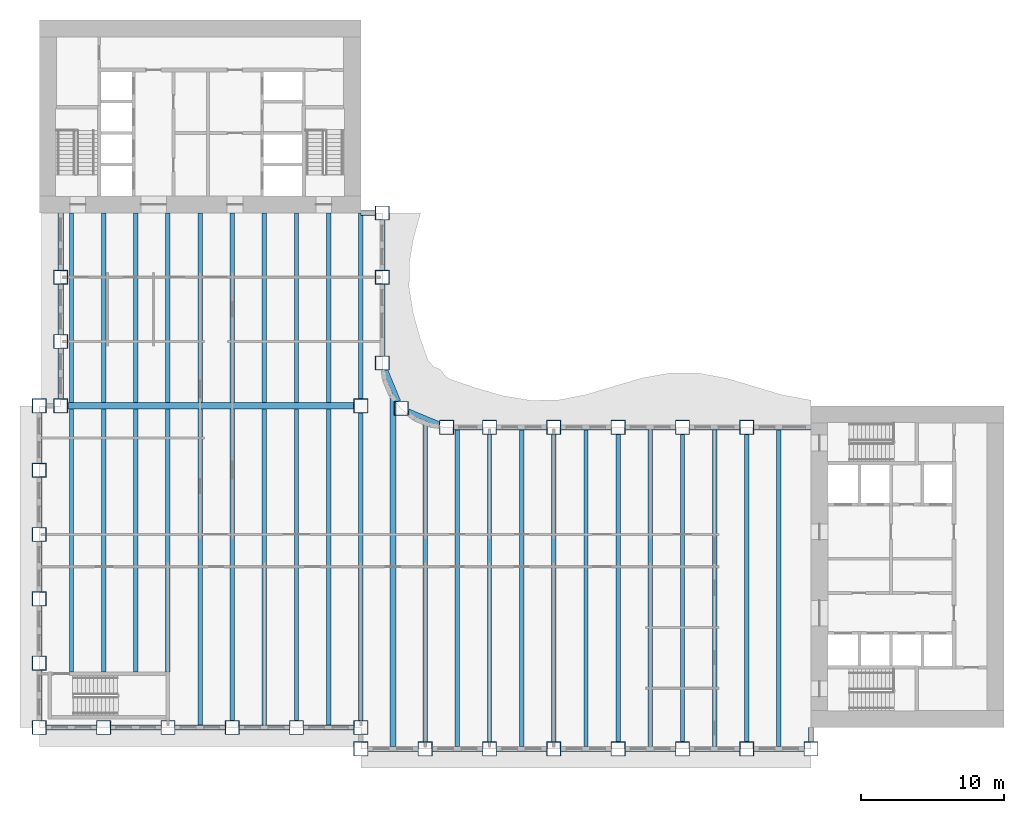
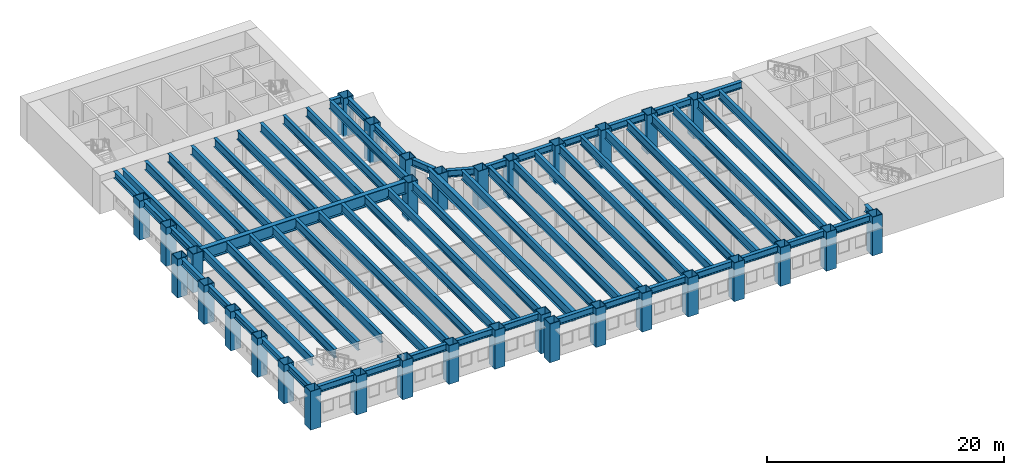
# One storey, part 1 of 16: 66 beams, 33 columns.
"""IFC4 building model written with IfcOpenShell, lengths in metres."""

from ifc_helpers import new_model, si_unit, direction, frame, origin, origin_2d, place, context, subcontext, project, spatial, hollow_rectangle, i_section, extrude, material, material_profile, profile_set, type_object, element, save


model = new_model("IFC4")

# Units and contexts
model_context = context("Model", 3, precision=1e-05, world=origin(), true_north=direction((0.0, 1.0)))
body_context = subcontext(model_context, "Body", "Model", "MODEL_VIEW")
ifc_project = project(units=[si_unit("LENGTHUNIT", "METRE"), si_unit("AREAUNIT", "SQUARE_METRE"), si_unit("VOLUMEUNIT", "CUBIC_METRE"), si_unit("PLANEANGLEUNIT", "RADIAN"), si_unit("MASSUNIT", "GRAM", prefix="KILO")], contexts=[model_context])

# Site, building, storey
site_placement = place(None, origin())
site = spatial("IfcSite", under=ifc_project, at=site_placement, CompositionType="ELEMENT")
building_placement = place(site_placement, origin())
building = spatial("IfcBuilding", under=site, at=building_placement, Name="Sennacour Bend Tower", CompositionType="ELEMENT")
storey_placement = place(building_placement, frame((0.0, 0.0, 87.0)))
storey = spatial("IfcBuildingStorey", under=building, at=storey_placement, Name="L19", CompositionType="ELEMENT", Elevation=87.0)

# Columns
ifc_material_1 = material(Name="Steel ASTM A572 Grade 50", Category="steel")
ifc_material_profile_1 = material_profile(ifc_material_1, hollow_rectangle(XDim=1.0, YDim=1.0, WallThickness=0.050048828125, at=origin_2d()), Name="Steel ASTM A572 Grade 50", Category="steel")
ifc_profile_set_1 = profile_set([ifc_material_profile_1], Name="Steel ASTM A572 Grade 50")
column_type = type_object("IfcColumnType", Name="Box column 1000", PredefinedType="COLUMN", material=ifc_profile_set_1)
for number, where, z_axis, x_axis, name in (
    (1, (0.0, 0.0, -0.14990234375), (0.0, 0.0, 1.0), (1.0, 0.0, 0.0), "Perimeter column C2 L19-001"),
    (2, (0.0, 4.5, -0.14990234375), (0.0, 0.0, 1.0), (1.0, 0.0, 0.0), "Perimeter column C2 L19-002"),
    (3, (0.0, 9.0, -0.14990234375), (0.0, 0.0, 1.0), (1.0, 0.0, 0.0), "Perimeter column C2 L19-003"),
    (4, (0.0, 13.5, -0.14990234375), (0.0, 0.0, 1.0), (1.0, 0.0, 0.0), "Perimeter column C2 L19-004"),
    (5, (0.0, 18.0, -0.14990234375), (0.0, 0.0, 1.0), (1.0, 0.0, 0.0), "Perimeter column C2 L19-005"),
    (6, (0.0, 22.5, -0.14990234375), (0.0, 0.0, 1.0), (1.0, 0.0, 0.0), "Perimeter column C2 L19-006"),
    (7, (1.5, 22.5, -0.14990234375), (0.0, 0.0, 1.0), (1.0, 0.0, 0.0), "Perimeter column C2 L19-007"),
    (8, (1.5, 27.0, -0.14990234375), (0.0, 0.0, 1.0), (1.0, 0.0, 0.0), "Perimeter column C2 L19-008"),
    (9, (1.5, 31.5, -0.14990234375), (0.0, 0.0, 1.0), (1.0, 0.0, 0.0), "Perimeter column C2 L19-009"),
    (10, (4.5, 0.0, -0.14990234375), (0.0, 0.0, 1.0), (1.0, 0.0, 0.0), "Perimeter column C2 L19-010"),
    (11, (9.0, 0.0, -0.14990234375), (0.0, 0.0, 1.0), (1.0, 0.0, 0.0), "Perimeter column C2 L19-011"),
    (12, (13.5, 0.0, -0.14990234375), (0.0, 0.0, 1.0), (1.0, 0.0, 0.0), "Perimeter column C2 L19-012"),
    (13, (18.0, 0.0, -0.14990234375), (0.0, 0.0, 1.0), (1.0, 0.0, 0.0), "Perimeter column C2 L19-013"),
    (14, (22.5, -1.5, -0.14990234375), (0.0, 0.0, 1.0), (1.0, 0.0, 0.0), "Perimeter column C2 L19-014"),
    (15, (22.5, 0.0, -0.14990234375), (0.0, 0.0, 1.0), (1.0, 0.0, 0.0), "Perimeter column C2 L19-015"),
    (16, (22.5, 22.5, -0.14990234375), (0.0, 0.0, 1.0), (1.0, 0.0, 0.0), "Knuckle column C2 L19-016"),
    (17, (24.0, 25.5, -0.14990234375), (0.0, 0.0, 1.0), (1.0, 0.0, 0.0), "Perimeter column C2 L19-017"),
    (18, (24.0, 31.5, -0.14990234375), (0.0, 0.0, 1.0), (1.0, 0.0, 0.0), "Perimeter column C2 L19-018"),
    (19, (24.0, 36.0, -0.14990234375), (0.0, 0.0, 1.0), (1.0, 0.0, 0.0), "Perimeter column C2 L19-019"),
    (20, (25.318115234375, 22.318115234375, -0.14990234375), (0.0, 0.0, 1.0), (1.0, 0.0, 0.0), "Perimeter column C2 L19-020"),
    (21, (27.0, -1.5, -0.14990234375), (0.0, 0.0, 1.0), (1.0, 0.0, 0.0), "Perimeter column C2 L19-021"),
    (22, (28.5, 21.0, -0.14990234375), (0.0, 0.0, 1.0), (1.0, 0.0, 0.0), "Perimeter column C2 L19-022"),
    (23, (31.5, -1.5, -0.14990234375), (0.0, 0.0, 1.0), (1.0, 0.0, 0.0), "Perimeter column C2 L19-023"),
    (24, (31.5, 21.0, -0.14990234375), (0.0, 0.0, 1.0), (1.0, 0.0, 0.0), "Perimeter column C2 L19-024"),
    (25, (36.0, -1.5, -0.14990234375), (0.0, 0.0, 1.0), (1.0, 0.0, 0.0), "Perimeter column C2 L19-025"),
    (26, (36.0, 21.0, -0.14990234375), (0.0, 0.0, 1.0), (1.0, 0.0, 0.0), "Perimeter column C2 L19-026"),
    (27, (40.5, -1.5, -0.14990234375), (0.0, 0.0, 1.0), (1.0, 0.0, 0.0), "Perimeter column C2 L19-027"),
    (28, (40.5, 21.0, -0.14990234375), (0.0, 0.0, 1.0), (1.0, 0.0, 0.0), "Perimeter column C2 L19-028"),
    (29, (45.0, -1.5, -0.14990234375), (0.0, 0.0, 1.0), (1.0, 0.0, 0.0), "Perimeter column C2 L19-029"),
    (30, (45.0, 21.0, -0.14990234375), (0.0, 0.0, 1.0), (1.0, 0.0, 0.0), "Perimeter column C2 L19-030"),
    (31, (49.5, -1.5, -0.14990234375), (0.0, 0.0, 1.0), (1.0, 0.0, 0.0), "Perimeter column C2 L19-031"),
    (32, (49.5, 21.0, -0.14990234375), (0.0, 0.0, 1.0), (1.0, 0.0, 0.0), "Perimeter column C2 L19-032"),
    (33, (54.0, -1.5, -0.14990234375), (0.0, 0.0, 1.0), (1.0, 0.0, 0.0), "Perimeter column C2 L19-033"),
):
    element("IfcColumn", number, at=place(storey_placement, frame(where, z_axis=z_axis, x_axis=x_axis)), inside=storey, type_object=column_type, Name=name, PredefinedType="COLUMN", context=body_context, shape_type="SweptSolid", body=[
        extrude(hollow_rectangle(XDim=1.0, YDim=1.0, WallThickness=0.050048828125, at=origin_2d()), origin(), (0.0, 0.0, 1.0), 4.0),
    ])

# Beams
ifc_material_2 = material(Name="Steel ASTM A992 Grade 50", Category="steel")
ifc_material_profile_2 = material_profile(ifc_material_2, i_section(OverallWidth=0.304931640625, OverallDepth=0.912109375, WebThickness=0.015869140625, FlangeThickness=0.02392578125, FilletRadius=0.01904296875, at=origin_2d()), Name="Steel ASTM A992 Grade 50", Category="steel")
ifc_profile_set_2 = profile_set([ifc_material_profile_2], Name="Steel ASTM A992 Grade 50")
beam_type_1 = type_object("IfcBeamType", Name="Floor beam W920X223", PredefinedType="BEAM", material=ifc_profile_set_2)
beam_1_placement = place(storey_placement, frame((2.25, 3.875, 3.39404296875), z_axis=(0.0, 1.0, 0.0), x_axis=(-1.0, 0.0, 0.0)))
element("IfcBeam", 34, at=beam_1_placement, inside=storey, type_object=beam_type_1, Name="Floor beam FBM1 L20-001", PredefinedType="BEAM", context=body_context, shape_type="SweptSolid", body=[
    extrude(i_section(OverallWidth=0.304931640625, OverallDepth=0.912109375, WebThickness=0.015869140625, FlangeThickness=0.02392578125, FilletRadius=0.01904296875, at=origin_2d()), origin(), (0.0, 0.0, 1.0), 18.39990234375),
])
beam_2_placement = place(storey_placement, frame((2.25, 22.72509765625, 3.39404296875), z_axis=(0.0, 1.0, 0.0), x_axis=(-1.0, 0.0, 0.0)))
element("IfcBeam", 35, at=beam_2_placement, inside=storey, type_object=beam_type_1, Name="Floor beam FBM1 L20-002", PredefinedType="BEAM", context=body_context, shape_type="SweptSolid", body=[
    extrude(i_section(OverallWidth=0.304931640625, OverallDepth=0.912109375, WebThickness=0.015869140625, FlangeThickness=0.02392578125, FilletRadius=0.01904296875, at=origin_2d()), origin(), (0.0, 0.0, 1.0), 13.27490234375),
])
beam_3_placement = place(storey_placement, frame((4.5, 3.875, 3.39404296875), z_axis=(0.0, 1.0, 0.0), x_axis=(-1.0, 0.0, 0.0)))
element("IfcBeam", 36, at=beam_3_placement, inside=storey, type_object=beam_type_1, Name="Floor beam FBM1 L20-003", PredefinedType="BEAM", context=body_context, shape_type="SweptSolid", body=[
    extrude(i_section(OverallWidth=0.304931640625, OverallDepth=0.912109375, WebThickness=0.015869140625, FlangeThickness=0.02392578125, FilletRadius=0.01904296875, at=origin_2d()), origin(), (0.0, 0.0, 1.0), 18.39990234375),
])
beam_4_placement = place(storey_placement, frame((4.5, 22.72509765625, 3.39404296875), z_axis=(0.0, 1.0, 0.0), x_axis=(-1.0, 0.0, 0.0)))
element("IfcBeam", 37, at=beam_4_placement, inside=storey, type_object=beam_type_1, Name="Floor beam FBM1 L20-004", PredefinedType="BEAM", context=body_context, shape_type="SweptSolid", body=[
    extrude(i_section(OverallWidth=0.304931640625, OverallDepth=0.912109375, WebThickness=0.015869140625, FlangeThickness=0.02392578125, FilletRadius=0.01904296875, at=origin_2d()), origin(), (0.0, 0.0, 1.0), 13.27490234375),
])
beam_5_placement = place(storey_placement, frame((6.75, 3.875, 3.39404296875), z_axis=(0.0, 1.0, 0.0), x_axis=(-1.0, 0.0, 0.0)))
element("IfcBeam", 38, at=beam_5_placement, inside=storey, type_object=beam_type_1, Name="Floor beam FBM1 L20-005", PredefinedType="BEAM", context=body_context, shape_type="SweptSolid", body=[
    extrude(i_section(OverallWidth=0.304931640625, OverallDepth=0.912109375, WebThickness=0.015869140625, FlangeThickness=0.02392578125, FilletRadius=0.01904296875, at=origin_2d()), origin(), (0.0, 0.0, 1.0), 18.39990234375),
])
beam_6_placement = place(storey_placement, frame((6.75, 22.72509765625, 3.39404296875), z_axis=(0.0, 1.0, 0.0), x_axis=(-1.0, 0.0, 0.0)))
element("IfcBeam", 39, at=beam_6_placement, inside=storey, type_object=beam_type_1, Name="Floor beam FBM1 L20-006", PredefinedType="BEAM", context=body_context, shape_type="SweptSolid", body=[
    extrude(i_section(OverallWidth=0.304931640625, OverallDepth=0.912109375, WebThickness=0.015869140625, FlangeThickness=0.02392578125, FilletRadius=0.01904296875, at=origin_2d()), origin(), (0.0, 0.0, 1.0), 13.27490234375),
])
beam_7_placement = place(storey_placement, frame((9.0, 3.875, 3.39404296875), z_axis=(0.0, 1.0, 0.0), x_axis=(-1.0, 0.0, 0.0)))
element("IfcBeam", 40, at=beam_7_placement, inside=storey, type_object=beam_type_1, Name="Floor beam FBM1 L20-007", PredefinedType="BEAM", context=body_context, shape_type="SweptSolid", body=[
    extrude(i_section(OverallWidth=0.304931640625, OverallDepth=0.912109375, WebThickness=0.015869140625, FlangeThickness=0.02392578125, FilletRadius=0.01904296875, at=origin_2d()), origin(), (0.0, 0.0, 1.0), 18.39990234375),
])
beam_8_placement = place(storey_placement, frame((9.0, 22.72509765625, 3.39404296875), z_axis=(0.0, 1.0, 0.0), x_axis=(-1.0, 0.0, 0.0)))
element("IfcBeam", 41, at=beam_8_placement, inside=storey, type_object=beam_type_1, Name="Floor beam FBM1 L20-008", PredefinedType="BEAM", context=body_context, shape_type="SweptSolid", body=[
    extrude(i_section(OverallWidth=0.304931640625, OverallDepth=0.912109375, WebThickness=0.015869140625, FlangeThickness=0.02392578125, FilletRadius=0.01904296875, at=origin_2d()), origin(), (0.0, 0.0, 1.0), 13.27490234375),
])
beam_9_placement = place(storey_placement, frame((11.25, 0.177978515625, 3.39404296875), z_axis=(0.0, 1.0, 0.0), x_axis=(-1.0, 0.0, 0.0)))
element("IfcBeam", 42, at=beam_9_placement, inside=storey, type_object=beam_type_1, Name="Floor beam FBM1 L20-009", PredefinedType="BEAM", context=body_context, shape_type="SweptSolid", body=[
    extrude(i_section(OverallWidth=0.304931640625, OverallDepth=0.912109375, WebThickness=0.015869140625, FlangeThickness=0.02392578125, FilletRadius=0.01904296875, at=origin_2d()), origin(), (0.0, 0.0, 1.0), 22.096923828125),
])
beam_10_placement = place(storey_placement, frame((11.25, 22.72509765625, 3.39404296875), z_axis=(0.0, 1.0, 0.0), x_axis=(-1.0, 0.0, 0.0)))
element("IfcBeam", 43, at=beam_10_placement, inside=storey, type_object=beam_type_1, Name="Floor beam FBM1 L20-010", PredefinedType="BEAM", context=body_context, shape_type="SweptSolid", body=[
    extrude(i_section(OverallWidth=0.304931640625, OverallDepth=0.912109375, WebThickness=0.015869140625, FlangeThickness=0.02392578125, FilletRadius=0.01904296875, at=origin_2d()), origin(), (0.0, 0.0, 1.0), 13.27490234375),
])
beam_11_placement = place(storey_placement, frame((13.5, 0.5, 3.39404296875), z_axis=(0.0, 1.0, 0.0), x_axis=(-1.0, 0.0, 0.0)))
element("IfcBeam", 44, at=beam_11_placement, inside=storey, type_object=beam_type_1, Name="Floor beam FBM1 L20-011", PredefinedType="BEAM", context=body_context, shape_type="SweptSolid", body=[
    extrude(i_section(OverallWidth=0.304931640625, OverallDepth=0.912109375, WebThickness=0.015869140625, FlangeThickness=0.02392578125, FilletRadius=0.01904296875, at=origin_2d()), origin(), (0.0, 0.0, 1.0), 21.77490234375),
])
beam_12_placement = place(storey_placement, frame((13.5, 22.72509765625, 3.39404296875), z_axis=(0.0, 1.0, 0.0), x_axis=(-1.0, 0.0, 0.0)))
element("IfcBeam", 45, at=beam_12_placement, inside=storey, type_object=beam_type_1, Name="Floor beam FBM1 L20-012", PredefinedType="BEAM", context=body_context, shape_type="SweptSolid", body=[
    extrude(i_section(OverallWidth=0.304931640625, OverallDepth=0.912109375, WebThickness=0.015869140625, FlangeThickness=0.02392578125, FilletRadius=0.01904296875, at=origin_2d()), origin(), (0.0, 0.0, 1.0), 13.27490234375),
])
beam_13_placement = place(storey_placement, frame((15.75, 0.177978515625, 3.39404296875), z_axis=(0.0, 1.0, 0.0), x_axis=(-1.0, 0.0, 0.0)))
element("IfcBeam", 46, at=beam_13_placement, inside=storey, type_object=beam_type_1, Name="Floor beam FBM1 L20-013", PredefinedType="BEAM", context=body_context, shape_type="SweptSolid", body=[
    extrude(i_section(OverallWidth=0.304931640625, OverallDepth=0.912109375, WebThickness=0.015869140625, FlangeThickness=0.02392578125, FilletRadius=0.01904296875, at=origin_2d()), origin(), (0.0, 0.0, 1.0), 22.096923828125),
])
beam_14_placement = place(storey_placement, frame((15.75, 22.72509765625, 3.39404296875), z_axis=(0.0, 1.0, 0.0), x_axis=(-1.0, 0.0, 0.0)))
element("IfcBeam", 47, at=beam_14_placement, inside=storey, type_object=beam_type_1, Name="Floor beam FBM1 L20-014", PredefinedType="BEAM", context=body_context, shape_type="SweptSolid", body=[
    extrude(i_section(OverallWidth=0.304931640625, OverallDepth=0.912109375, WebThickness=0.015869140625, FlangeThickness=0.02392578125, FilletRadius=0.01904296875, at=origin_2d()), origin(), (0.0, 0.0, 1.0), 13.27490234375),
])
beam_15_placement = place(storey_placement, frame((18.0, 0.5, 3.39404296875), z_axis=(0.0, 1.0, 0.0), x_axis=(-1.0, 0.0, 0.0)))
element("IfcBeam", 48, at=beam_15_placement, inside=storey, type_object=beam_type_1, Name="Floor beam FBM1 L20-015", PredefinedType="BEAM", context=body_context, shape_type="SweptSolid", body=[
    extrude(i_section(OverallWidth=0.304931640625, OverallDepth=0.912109375, WebThickness=0.015869140625, FlangeThickness=0.02392578125, FilletRadius=0.01904296875, at=origin_2d()), origin(), (0.0, 0.0, 1.0), 21.77490234375),
])
beam_16_placement = place(storey_placement, frame((18.0, 22.72509765625, 3.39404296875), z_axis=(0.0, 1.0, 0.0), x_axis=(-1.0, 0.0, 0.0)))
element("IfcBeam", 49, at=beam_16_placement, inside=storey, type_object=beam_type_1, Name="Floor beam FBM1 L20-016", PredefinedType="BEAM", context=body_context, shape_type="SweptSolid", body=[
    extrude(i_section(OverallWidth=0.304931640625, OverallDepth=0.912109375, WebThickness=0.015869140625, FlangeThickness=0.02392578125, FilletRadius=0.01904296875, at=origin_2d()), origin(), (0.0, 0.0, 1.0), 13.27490234375),
])
beam_17_placement = place(storey_placement, frame((20.25, 0.177978515625, 3.39404296875), z_axis=(0.0, 1.0, 0.0), x_axis=(-1.0, 0.0, 0.0)))
element("IfcBeam", 50, at=beam_17_placement, inside=storey, type_object=beam_type_1, Name="Floor beam FBM1 L20-017", PredefinedType="BEAM", context=body_context, shape_type="SweptSolid", body=[
    extrude(i_section(OverallWidth=0.304931640625, OverallDepth=0.912109375, WebThickness=0.015869140625, FlangeThickness=0.02392578125, FilletRadius=0.01904296875, at=origin_2d()), origin(), (0.0, 0.0, 1.0), 22.096923828125),
])
beam_18_placement = place(storey_placement, frame((20.25, 22.72509765625, 3.39404296875), z_axis=(0.0, 1.0, 0.0), x_axis=(-1.0, 0.0, 0.0)))
element("IfcBeam", 51, at=beam_18_placement, inside=storey, type_object=beam_type_1, Name="Floor beam FBM1 L20-018", PredefinedType="BEAM", context=body_context, shape_type="SweptSolid", body=[
    extrude(i_section(OverallWidth=0.304931640625, OverallDepth=0.912109375, WebThickness=0.015869140625, FlangeThickness=0.02392578125, FilletRadius=0.01904296875, at=origin_2d()), origin(), (0.0, 0.0, 1.0), 13.27490234375),
])
beam_19_placement = place(storey_placement, frame((22.5, 0.5, 3.39404296875), z_axis=(0.0, 1.0, 0.0), x_axis=(-1.0, 0.0, 0.0)))
element("IfcBeam", 52, at=beam_19_placement, inside=storey, type_object=beam_type_1, Name="Floor beam FBM1 L20-019", PredefinedType="BEAM", context=body_context, shape_type="SweptSolid", body=[
    extrude(i_section(OverallWidth=0.304931640625, OverallDepth=0.912109375, WebThickness=0.015869140625, FlangeThickness=0.02392578125, FilletRadius=0.01904296875, at=origin_2d()), origin(), (0.0, 0.0, 1.0), 21.5),
])
beam_20_placement = place(storey_placement, frame((22.5, 23.0, 3.39404296875), z_axis=(0.0, 1.0, 0.0), x_axis=(-1.0, 0.0, 0.0)))
element("IfcBeam", 53, at=beam_20_placement, inside=storey, type_object=beam_type_1, Name="Floor beam FBM1 L20-020", PredefinedType="BEAM", context=body_context, shape_type="SweptSolid", body=[
    extrude(i_section(OverallWidth=0.304931640625, OverallDepth=0.912109375, WebThickness=0.015869140625, FlangeThickness=0.02392578125, FilletRadius=0.01904296875, at=origin_2d()), origin(), (0.0, 0.0, 1.0), 13.0),
])
beam_21_placement = place(storey_placement, frame((27.0, -1.0, 3.39404296875), z_axis=(0.0, 1.0, 0.0), x_axis=(-1.0, 0.0, 0.0)))
element("IfcBeam", 54, at=beam_21_placement, inside=storey, type_object=beam_type_1, Name="Floor beam FBM1 L20-022", PredefinedType="BEAM", context=body_context, shape_type="SweptSolid", body=[
    extrude(i_section(OverallWidth=0.304931640625, OverallDepth=0.912109375, WebThickness=0.015869140625, FlangeThickness=0.02392578125, FilletRadius=0.01904296875, at=origin_2d()), origin(), (0.0, 0.0, 1.0), 22.4287109375),
])
beam_22_placement = place(storey_placement, frame((29.25, -1.322021484375, 3.39404296875), z_axis=(0.0, 1.0, 0.0), x_axis=(-1.0, 0.0, 0.0)))
element("IfcBeam", 55, at=beam_22_placement, inside=storey, type_object=beam_type_1, Name="Floor beam FBM1 L20-023", PredefinedType="BEAM", context=body_context, shape_type="SweptSolid", body=[
    extrude(i_section(OverallWidth=0.304931640625, OverallDepth=0.912109375, WebThickness=0.015869140625, FlangeThickness=0.02392578125, FilletRadius=0.01904296875, at=origin_2d()), origin(), (0.0, 0.0, 1.0), 22.14404296875),
])
beam_23_placement = place(storey_placement, frame((31.5, -1.0, 3.39404296875), z_axis=(0.0, 1.0, 0.0), x_axis=(-1.0, 0.0, 0.0)))
element("IfcBeam", 56, at=beam_23_placement, inside=storey, type_object=beam_type_1, Name="Floor beam FBM1 L20-024", PredefinedType="BEAM", context=body_context, shape_type="SweptSolid", body=[
    extrude(i_section(OverallWidth=0.304931640625, OverallDepth=0.912109375, WebThickness=0.015869140625, FlangeThickness=0.02392578125, FilletRadius=0.01904296875, at=origin_2d()), origin(), (0.0, 0.0, 1.0), 21.5),
])
beam_24_placement = place(storey_placement, frame((33.75, -1.322021484375, 3.39404296875), z_axis=(0.0, 1.0, 0.0), x_axis=(-1.0, 0.0, 0.0)))
element("IfcBeam", 57, at=beam_24_placement, inside=storey, type_object=beam_type_1, Name="Floor beam FBM1 L20-025", PredefinedType="BEAM", context=body_context, shape_type="SweptSolid", body=[
    extrude(i_section(OverallWidth=0.304931640625, OverallDepth=0.912109375, WebThickness=0.015869140625, FlangeThickness=0.02392578125, FilletRadius=0.01904296875, at=origin_2d()), origin(), (0.0, 0.0, 1.0), 22.14404296875),
])
beam_25_placement = place(storey_placement, frame((36.0, -1.0, 3.39404296875), z_axis=(0.0, 1.0, 0.0), x_axis=(-1.0, 0.0, 0.0)))
element("IfcBeam", 58, at=beam_25_placement, inside=storey, type_object=beam_type_1, Name="Floor beam FBM1 L20-026", PredefinedType="BEAM", context=body_context, shape_type="SweptSolid", body=[
    extrude(i_section(OverallWidth=0.304931640625, OverallDepth=0.912109375, WebThickness=0.015869140625, FlangeThickness=0.02392578125, FilletRadius=0.01904296875, at=origin_2d()), origin(), (0.0, 0.0, 1.0), 21.5),
])
beam_26_placement = place(storey_placement, frame((38.25, -1.322021484375, 3.39404296875), z_axis=(0.0, 1.0, 0.0), x_axis=(-1.0, 0.0, 0.0)))
element("IfcBeam", 59, at=beam_26_placement, inside=storey, type_object=beam_type_1, Name="Floor beam FBM1 L20-027", PredefinedType="BEAM", context=body_context, shape_type="SweptSolid", body=[
    extrude(i_section(OverallWidth=0.304931640625, OverallDepth=0.912109375, WebThickness=0.015869140625, FlangeThickness=0.02392578125, FilletRadius=0.01904296875, at=origin_2d()), origin(), (0.0, 0.0, 1.0), 22.14404296875),
])
beam_27_placement = place(storey_placement, frame((40.5, -1.0, 3.39404296875), z_axis=(0.0, 1.0, 0.0), x_axis=(-1.0, 0.0, 0.0)))
element("IfcBeam", 60, at=beam_27_placement, inside=storey, type_object=beam_type_1, Name="Floor beam FBM1 L20-028", PredefinedType="BEAM", context=body_context, shape_type="SweptSolid", body=[
    extrude(i_section(OverallWidth=0.304931640625, OverallDepth=0.912109375, WebThickness=0.015869140625, FlangeThickness=0.02392578125, FilletRadius=0.01904296875, at=origin_2d()), origin(), (0.0, 0.0, 1.0), 21.5),
])
beam_28_placement = place(storey_placement, frame((42.75, -1.322021484375, 3.39404296875), z_axis=(0.0, 1.0, 0.0), x_axis=(-1.0, 0.0, 0.0)))
element("IfcBeam", 61, at=beam_28_placement, inside=storey, type_object=beam_type_1, Name="Floor beam FBM1 L20-029", PredefinedType="BEAM", context=body_context, shape_type="SweptSolid", body=[
    extrude(i_section(OverallWidth=0.304931640625, OverallDepth=0.912109375, WebThickness=0.015869140625, FlangeThickness=0.02392578125, FilletRadius=0.01904296875, at=origin_2d()), origin(), (0.0, 0.0, 1.0), 22.14404296875),
])
beam_29_placement = place(storey_placement, frame((45.0, -1.0, 3.39404296875), z_axis=(0.0, 1.0, 0.0), x_axis=(-1.0, 0.0, 0.0)))
element("IfcBeam", 62, at=beam_29_placement, inside=storey, type_object=beam_type_1, Name="Floor beam FBM1 L20-030", PredefinedType="BEAM", context=body_context, shape_type="SweptSolid", body=[
    extrude(i_section(OverallWidth=0.304931640625, OverallDepth=0.912109375, WebThickness=0.015869140625, FlangeThickness=0.02392578125, FilletRadius=0.01904296875, at=origin_2d()), origin(), (0.0, 0.0, 1.0), 21.5),
])
beam_30_placement = place(storey_placement, frame((47.25, -1.322021484375, 3.39404296875), z_axis=(0.0, 1.0, 0.0), x_axis=(-1.0, 0.0, 0.0)))
element("IfcBeam", 63, at=beam_30_placement, inside=storey, type_object=beam_type_1, Name="Floor beam FBM1 L20-031", PredefinedType="BEAM", context=body_context, shape_type="SweptSolid", body=[
    extrude(i_section(OverallWidth=0.304931640625, OverallDepth=0.912109375, WebThickness=0.015869140625, FlangeThickness=0.02392578125, FilletRadius=0.01904296875, at=origin_2d()), origin(), (0.0, 0.0, 1.0), 22.14404296875),
])
beam_31_placement = place(storey_placement, frame((49.5, -1.0, 3.39404296875), z_axis=(0.0, 1.0, 0.0), x_axis=(-1.0, 0.0, 0.0)))
element("IfcBeam", 64, at=beam_31_placement, inside=storey, type_object=beam_type_1, Name="Floor beam FBM1 L20-032", PredefinedType="BEAM", context=body_context, shape_type="SweptSolid", body=[
    extrude(i_section(OverallWidth=0.304931640625, OverallDepth=0.912109375, WebThickness=0.015869140625, FlangeThickness=0.02392578125, FilletRadius=0.01904296875, at=origin_2d()), origin(), (0.0, 0.0, 1.0), 21.5),
])
beam_32_placement = place(storey_placement, frame((51.75, -1.322021484375, 3.39404296875), z_axis=(0.0, 1.0, 0.0), x_axis=(-1.0, 0.0, 0.0)))
element("IfcBeam", 65, at=beam_32_placement, inside=storey, type_object=beam_type_1, Name="Floor beam FBM1 L20-033", PredefinedType="BEAM", context=body_context, shape_type="SweptSolid", body=[
    extrude(i_section(OverallWidth=0.304931640625, OverallDepth=0.912109375, WebThickness=0.015869140625, FlangeThickness=0.02392578125, FilletRadius=0.01904296875, at=origin_2d()), origin(), (0.0, 0.0, 1.0), 22.14404296875),
])
ifc_material_profile_3 = material_profile(ifc_material_1, i_section(OverallWidth=0.449951171875, OverallDepth=1.25, WebThickness=0.028076171875, FlangeThickness=0.050048828125, at=origin_2d()), Name="Steel ASTM A572 Grade 50", Category="steel")
ifc_profile_set_3 = profile_set([ifc_material_profile_3], Name="Steel ASTM A572 Grade 50")
beam_type_2 = type_object("IfcBeamType", Name="Knuckle girder 1250", PredefinedType="USERDEFINED", material=ifc_profile_set_3)
beam_33_placement = place(storey_placement, frame((2.0, 22.5, 3.22509765625), z_axis=(1.0, 0.0, 0.0), x_axis=(0.0, 1.0, 0.0)))
element("IfcBeam", 66, at=beam_33_placement, inside=storey, type_object=beam_type_2, Name="Knuckle girder GK L20-001", ObjectType="KNUCKLE GIRDER", PredefinedType="USERDEFINED", context=body_context, shape_type="SweptSolid", body=[
    extrude(i_section(OverallWidth=0.449951171875, OverallDepth=1.25, WebThickness=0.028076171875, FlangeThickness=0.050048828125, at=origin_2d()), origin(), (0.0, 0.0, 1.0), 20.0),
])
ifc_material_profile_4 = material_profile(ifc_material_2, i_section(OverallWidth=0.40087890625, OverallDepth=1.090087890625, WebThickness=0.01806640625, FlangeThickness=0.031005859375, FilletRadius=0.02001953125, at=origin_2d()), Name="Steel ASTM A992 Grade 50", Category="steel")
ifc_profile_set_4 = profile_set([ifc_material_profile_4], Name="Steel ASTM A992 Grade 50")
beam_type_3 = type_object("IfcBeamType", Name="Notch floor beam W1100X343", PredefinedType="BEAM", material=ifc_profile_set_4)
beam_34_placement = place(storey_placement, frame((24.75, -1.322021484375, 3.304931640625), z_axis=(0.0, 1.0, 0.0), x_axis=(-1.0, 0.0, 0.0)))
element("IfcBeam", 67, at=beam_34_placement, inside=storey, type_object=beam_type_3, Name="Floor beam FBM4 L20-021", PredefinedType="BEAM", context=body_context, shape_type="SweptSolid", body=[
    extrude(i_section(OverallWidth=0.40087890625, OverallDepth=1.090087890625, WebThickness=0.01806640625, FlangeThickness=0.031005859375, FilletRadius=0.02001953125, at=origin_2d()), origin(), (0.0, 0.0, 1.0), 24.546142578125),
])
ifc_material_profile_5 = material_profile(ifc_material_2, i_section(OverallWidth=0.35595703125, OverallDepth=0.696044921875, WebThickness=0.015380859375, FlangeThickness=0.02490234375, FilletRadius=0.02001953125, at=origin_2d()), Name="Steel ASTM A992 Grade 50", Category="steel")
ifc_profile_set_5 = profile_set([ifc_material_profile_5], Name="Steel ASTM A992 Grade 50")
beam_type_4 = type_object("IfcBeamType", Name="Spandrel beam W690X217", PredefinedType="SPANDREL", material=ifc_profile_set_5)
for number, where, z_axis, x_axis, name in (
    (68, (22.0, 0.0, 3.501953125), (-1.0, 0.0, 0.0), (0.0, -1.0, 0.0), "Spandrel beam SP3 L20-001"),
    (69, (17.5, 0.0, 3.501953125), (-1.0, 0.0, 0.0), (0.0, -1.0, 0.0), "Spandrel beam SP3 L20-002"),
    (70, (13.0, 0.0, 3.501953125), (-1.0, 0.0, 0.0), (0.0, -1.0, 0.0), "Spandrel beam SP3 L20-003"),
    (71, (8.5, 0.0, 3.501953125), (-1.0, 0.0, 0.0), (0.0, -1.0, 0.0), "Spandrel beam SP3 L20-004"),
    (72, (4.0, 0.0, 3.501953125), (-1.0, 0.0, 0.0), (0.0, -1.0, 0.0), "Spandrel beam SP3 L20-005"),
    (73, (0.0, 0.5, 3.501953125), (0.0, 1.0, 0.0), (-1.0, 0.0, 0.0), "Spandrel beam SP3 L20-006"),
    (74, (0.0, 5.0, 3.501953125), (0.0, 1.0, 0.0), (-1.0, 0.0, 0.0), "Spandrel beam SP3 L20-007"),
    (75, (0.0, 9.5, 3.501953125), (0.0, 1.0, 0.0), (-1.0, 0.0, 0.0), "Spandrel beam SP3 L20-008"),
    (76, (0.0, 14.0, 3.501953125), (0.0, 1.0, 0.0), (-1.0, 0.0, 0.0), "Spandrel beam SP3 L20-009"),
    (77, (0.0, 18.5, 3.501953125), (0.0, 1.0, 0.0), (-1.0, 0.0, 0.0), "Spandrel beam SP3 L20-010"),
    (78, (1.5, 23.0, 3.501953125), (0.0, 1.0, 0.0), (-1.0, 0.0, 0.0), "Spandrel beam SP3 L20-011"),
    (79, (1.5, 27.5, 3.501953125), (0.0, 1.0, 0.0), (-1.0, 0.0, 0.0), "Spandrel beam SP3 L20-012"),
):
    element("IfcBeam", number, at=place(storey_placement, frame(where, z_axis=z_axis, x_axis=x_axis)), inside=storey, type_object=beam_type_4, Name=name, PredefinedType="SPANDREL", context=body_context, shape_type="SweptSolid", body=[
        extrude(i_section(OverallWidth=0.35595703125, OverallDepth=0.696044921875, WebThickness=0.015380859375, FlangeThickness=0.02490234375, FilletRadius=0.02001953125, at=origin_2d()), origin(), (0.0, 0.0, 1.0), 3.5),
    ])
beam_35_placement = place(storey_placement, frame((1.5, 32.0, 3.501953125), z_axis=(0.0, 1.0, 0.0), x_axis=(-1.0, 0.0, 0.0)))
element("IfcBeam", 80, at=beam_35_placement, inside=storey, type_object=beam_type_4, Name="Spandrel beam SP3 L20-013", PredefinedType="SPANDREL", context=body_context, shape_type="SweptSolid", body=[
    extrude(i_section(OverallWidth=0.35595703125, OverallDepth=0.696044921875, WebThickness=0.015380859375, FlangeThickness=0.02490234375, FilletRadius=0.02001953125, at=origin_2d()), origin(), (0.0, 0.0, 1.0), 4.0),
])
beam_36_placement = place(storey_placement, frame((22.5, 36.0, 3.501953125), z_axis=(1.0, 0.0, 0.0), x_axis=(0.0, 1.0, 0.0)))
element("IfcBeam", 81, at=beam_36_placement, inside=storey, type_object=beam_type_4, Name="Spandrel beam SP3 L20-014", PredefinedType="SPANDREL", context=body_context, shape_type="SweptSolid", body=[
    extrude(i_section(OverallWidth=0.35595703125, OverallDepth=0.696044921875, WebThickness=0.015380859375, FlangeThickness=0.02490234375, FilletRadius=0.02001953125, at=origin_2d()), origin(), (0.0, 0.0, 1.0), 1.0),
])
beam_37_placement = place(storey_placement, frame((24.0, 35.5, 3.501953125), z_axis=(0.0, -1.0, 0.0), x_axis=(1.0, 0.0, 0.0)))
element("IfcBeam", 82, at=beam_37_placement, inside=storey, type_object=beam_type_4, Name="Spandrel beam SP3 L20-015", PredefinedType="SPANDREL", context=body_context, shape_type="SweptSolid", body=[
    extrude(i_section(OverallWidth=0.35595703125, OverallDepth=0.696044921875, WebThickness=0.015380859375, FlangeThickness=0.02490234375, FilletRadius=0.02001953125, at=origin_2d()), origin(), (0.0, 0.0, 1.0), 3.5),
])
beam_38_placement = place(storey_placement, frame((24.0, 31.0, 3.501953125), z_axis=(0.0, -1.0, 0.0), x_axis=(1.0, 0.0, 0.0)))
element("IfcBeam", 83, at=beam_38_placement, inside=storey, type_object=beam_type_4, Name="Spandrel beam SP3 L20-016", PredefinedType="SPANDREL", context=body_context, shape_type="SweptSolid", body=[
    extrude(i_section(OverallWidth=0.35595703125, OverallDepth=0.696044921875, WebThickness=0.015380859375, FlangeThickness=0.02490234375, FilletRadius=0.02001953125, at=origin_2d()), origin(), (0.0, 0.0, 1.0), 5.0),
])
for number, where, z_axis, x_axis, name in (
    (84, (24.20703125, 25.0, 3.501953125), (0.382698732017, -0.92387319504, 0.0), (0.92387319504, 0.382698732017, 0.0), "Spandrel beam SP3 L20-017"),
    (85, (25.818115234375, 22.11083984375, 3.501953125), (0.92387319504, -0.382698732017, 0.0), (0.382698732017, 0.92387319504, 0.0), "Spandrel beam SP3 L20-018"),
):
    element("IfcBeam", number, at=place(storey_placement, frame(where, z_axis=z_axis, x_axis=x_axis)), inside=storey, type_object=beam_type_4, Name=name, PredefinedType="SPANDREL", context=body_context, shape_type="SweptSolid", body=[
        extrude(i_section(OverallWidth=0.35595703125, OverallDepth=0.696044921875, WebThickness=0.015380859375, FlangeThickness=0.02490234375, FilletRadius=0.02001953125, at=origin_2d()), origin(), (0.0, 0.0, 1.0), 2.361572265625),
    ])
beam_39_placement = place(storey_placement, frame((29.0, 21.0, 3.501953125), z_axis=(1.0, 0.0, 0.0), x_axis=(0.0, 1.0, 0.0)))
element("IfcBeam", 86, at=beam_39_placement, inside=storey, type_object=beam_type_4, Name="Spandrel beam SP3 L20-019", PredefinedType="SPANDREL", context=body_context, shape_type="SweptSolid", body=[
    extrude(i_section(OverallWidth=0.35595703125, OverallDepth=0.696044921875, WebThickness=0.015380859375, FlangeThickness=0.02490234375, FilletRadius=0.02001953125, at=origin_2d()), origin(), (0.0, 0.0, 1.0), 2.0),
])
for number, where, z_axis, x_axis, name in (
    (87, (32.0, 21.0, 3.501953125), (1.0, 0.0, 0.0), (0.0, 1.0, 0.0), "Spandrel beam SP3 L20-020"),
    (88, (36.5, 21.0, 3.501953125), (1.0, 0.0, 0.0), (0.0, 1.0, 0.0), "Spandrel beam SP3 L20-021"),
    (89, (41.0, 21.0, 3.501953125), (1.0, 0.0, 0.0), (0.0, 1.0, 0.0), "Spandrel beam SP3 L20-022"),
    (90, (45.5, 21.0, 3.501953125), (1.0, 0.0, 0.0), (0.0, 1.0, 0.0), "Spandrel beam SP3 L20-023"),
):
    element("IfcBeam", number, at=place(storey_placement, frame(where, z_axis=z_axis, x_axis=x_axis)), inside=storey, type_object=beam_type_4, Name=name, PredefinedType="SPANDREL", context=body_context, shape_type="SweptSolid", body=[
        extrude(i_section(OverallWidth=0.35595703125, OverallDepth=0.696044921875, WebThickness=0.015380859375, FlangeThickness=0.02490234375, FilletRadius=0.02001953125, at=origin_2d()), origin(), (0.0, 0.0, 1.0), 3.5),
    ])
beam_40_placement = place(storey_placement, frame((50.0, 21.0, 3.501953125), z_axis=(1.0, 0.0, 0.0), x_axis=(0.0, 1.0, 0.0)))
element("IfcBeam", 91, at=beam_40_placement, inside=storey, type_object=beam_type_4, Name="Spandrel beam SP3 L20-024", PredefinedType="SPANDREL", context=body_context, shape_type="SweptSolid", body=[
    extrude(i_section(OverallWidth=0.35595703125, OverallDepth=0.696044921875, WebThickness=0.015380859375, FlangeThickness=0.02490234375, FilletRadius=0.02001953125, at=origin_2d()), origin(), (0.0, 0.0, 1.0), 4.0),
])
beam_41_placement = place(storey_placement, frame((54.0, 0.0, 3.501953125), z_axis=(0.0, -1.0, 0.0), x_axis=(1.0, 0.0, 0.0)))
element("IfcBeam", 92, at=beam_41_placement, inside=storey, type_object=beam_type_4, Name="Spandrel beam SP3 L20-025", PredefinedType="SPANDREL", context=body_context, shape_type="SweptSolid", body=[
    extrude(i_section(OverallWidth=0.35595703125, OverallDepth=0.696044921875, WebThickness=0.015380859375, FlangeThickness=0.02490234375, FilletRadius=0.02001953125, at=origin_2d()), origin(), (0.0, 0.0, 1.0), 1.0),
])
for number, where, z_axis, x_axis, name in (
    (93, (53.5, -1.5, 3.501953125), (-1.0, 0.0, 0.0), (0.0, -1.0, 0.0), "Spandrel beam SP3 L20-026"),
    (94, (49.0, -1.5, 3.501953125), (-1.0, 0.0, 0.0), (0.0, -1.0, 0.0), "Spandrel beam SP3 L20-027"),
    (95, (44.5, -1.5, 3.501953125), (-1.0, 0.0, 0.0), (0.0, -1.0, 0.0), "Spandrel beam SP3 L20-028"),
    (96, (40.0, -1.5, 3.501953125), (-1.0, 0.0, 0.0), (0.0, -1.0, 0.0), "Spandrel beam SP3 L20-029"),
    (97, (35.5, -1.5, 3.501953125), (-1.0, 0.0, 0.0), (0.0, -1.0, 0.0), "Spandrel beam SP3 L20-030"),
    (98, (31.0, -1.5, 3.501953125), (-1.0, 0.0, 0.0), (0.0, -1.0, 0.0), "Spandrel beam SP3 L20-031"),
    (99, (26.5, -1.5, 3.501953125), (-1.0, 0.0, 0.0), (0.0, -1.0, 0.0), "Spandrel beam SP3 L20-032"),
):
    element("IfcBeam", number, at=place(storey_placement, frame(where, z_axis=z_axis, x_axis=x_axis)), inside=storey, type_object=beam_type_4, Name=name, PredefinedType="SPANDREL", context=body_context, shape_type="SweptSolid", body=[
        extrude(i_section(OverallWidth=0.35595703125, OverallDepth=0.696044921875, WebThickness=0.015380859375, FlangeThickness=0.02490234375, FilletRadius=0.02001953125, at=origin_2d()), origin(), (0.0, 0.0, 1.0), 3.5),
    ])

save(model, "model.ifc")
